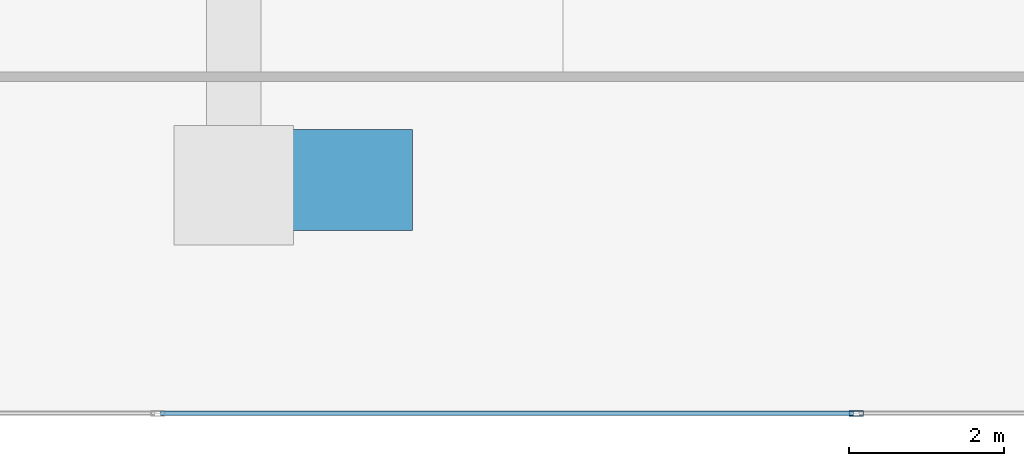
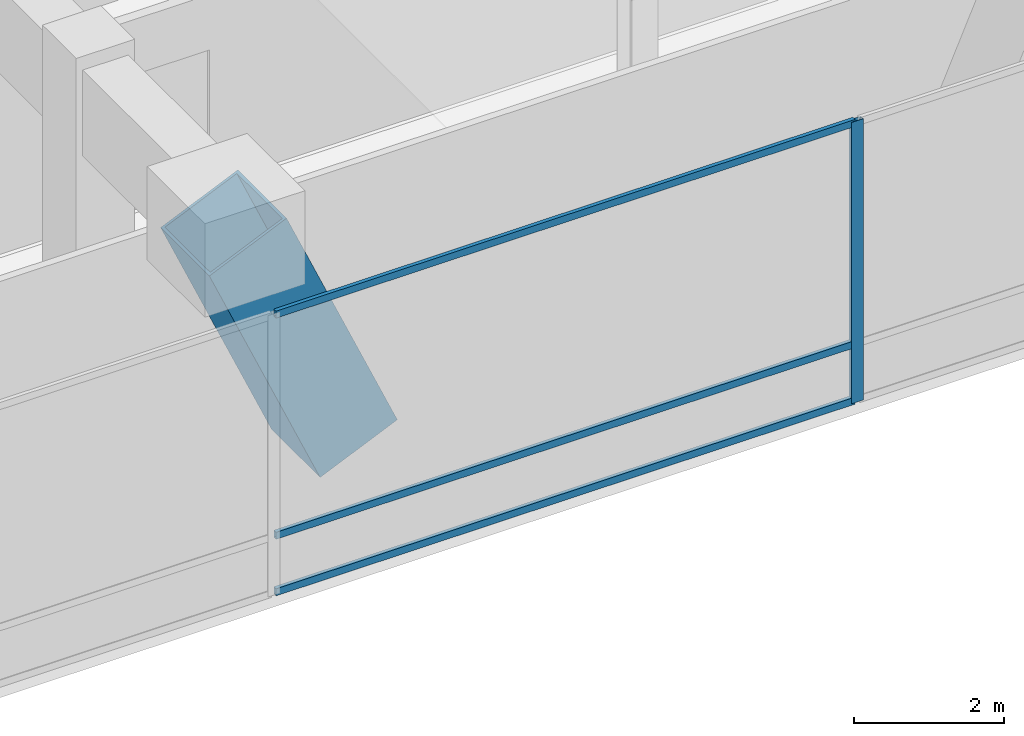
# One storey, part 13 of 45: 5 members, 1 element without a shape of its own.
"""IFC4 building model written with IfcOpenShell, lengths in metres."""

from ifc_helpers import new_model, si_unit, direction, frame, origin, origin_2d, place, context, subcontext, project, spatial, hollow_rectangle, extrude, material, layer, layer_set, material_profile, profile_set, type_object, element, aggregate, save


model = new_model("IFC4")

# Units and contexts
model_context = context("Model", 3, precision=1e-05, world=origin(), true_north=direction((0.0, 1.0)))
body_context = subcontext(model_context, "Body", "Model", "MODEL_VIEW")
ifc_project = project(units=[si_unit("LENGTHUNIT", "METRE"), si_unit("AREAUNIT", "SQUARE_METRE"), si_unit("VOLUMEUNIT", "CUBIC_METRE"), si_unit("PLANEANGLEUNIT", "RADIAN"), si_unit("MASSUNIT", "GRAM", prefix="KILO")], contexts=[model_context])

# Site, building, storey
site_placement = place(None, origin())
site = spatial("IfcSite", under=ifc_project, at=site_placement, CompositionType="ELEMENT")
building_placement = place(site_placement, origin())
building = spatial("IfcBuilding", under=site, at=building_placement, Name="Qianvela Tower", CompositionType="ELEMENT")
storey_placement = place(building_placement, frame((0.0, 0.0, 11.0)))
storey = spatial("IfcBuildingStorey", under=building, at=storey_placement, Name="L02", CompositionType="ELEMENT", Elevation=11.0)

# Curtain wall, members
ifc_material_1 = material(Name="Anodised Architectural Aluminium and Low-E Glass", Category="aluminium")
ifc_layer = layer(ifc_material_1, 0.179931640625)
ifc_layer_set = layer_set([ifc_layer], Name="Anodised Architectural Aluminium and Low-E Glass")
curtain_wall_type = type_object("IfcCurtainWallType", Name="CW-COMMONS", PredefinedType="USERDEFINED", material=ifc_layer_set)
curtain_wall_placement = place(storey_placement, origin())
curtain_wall = element("IfcCurtainWall", 1, at=curtain_wall_placement, inside=storey, type_object=curtain_wall_type, Name="L02 CW-COMMONS Curtain Wall 01", ObjectType="CURTAIN_WALL_SYSTEM", PredefinedType="USERDEFINED")
ifc_material_2 = material(Name="Anodised Architectural Aluminium 6063-T6", Category="aluminium")
ifc_material_profile_1 = material_profile(ifc_material_2, hollow_rectangle(XDim=0.070068359375, YDim=0.179931640625, WallThickness=0.0048828125, at=origin_2d()), Name="ALU-MULL-70x180")
ifc_profile_set_1 = profile_set([ifc_material_profile_1], Name="Anodised Architectural Aluminium 6063-T6")
member_type_1 = type_object("IfcMemberType", Name="CW-COMMONS-MULL", PredefinedType="MULLION", material=ifc_profile_set_1)
member_1_placement = place(storey_placement, frame((59.96435546875, 1.5, 0.0), z_axis=(0.0, 0.0, 1.0), x_axis=(0.0, 1.0, 0.0)))
member_1 = element("IfcMember", 2, at=member_1_placement, type_object=member_type_1, Name="CW-2 mullion 7", PredefinedType="MULLION", context=body_context, shape_type="SweptSolid", body=[
    extrude(hollow_rectangle(XDim=0.070068359375, YDim=0.179931640625, WallThickness=0.0048828125, at=origin_2d()), origin(), (0.0, 0.0, 1.0), 4.580078125),
])
ifc_material_3 = material(Name="Anodised Architectural Aluminium 6063-T6", Category="aluminium")
ifc_material_profile_2 = material_profile(ifc_material_3, hollow_rectangle(XDim=0.06005859375, YDim=0.114990234375, WallThickness=0.00390625, at=origin_2d()), Name="ALU-TRAN-60x115")
ifc_profile_set_2 = profile_set([ifc_material_profile_2], Name="Anodised Architectural Aluminium 6063-T6")
member_type_2 = type_object("IfcMemberType", Name="CW-COMMONS-TRAN", PredefinedType="USERDEFINED", material=ifc_profile_set_2)
member_2_placement = place(storey_placement, frame((51.013671875, 1.5, 0.030029296875), z_axis=(1.0, 0.0, 0.0), x_axis=(0.0, 1.0, 0.0)))
member_2 = element("IfcMember", 3, at=member_2_placement, type_object=member_type_2, Name="CW-2 transom 6.1", ObjectType="TRANSOM", PredefinedType="USERDEFINED", context=body_context, shape_type="SweptSolid", body=[
    extrude(hollow_rectangle(XDim=0.06005859375, YDim=0.114990234375, WallThickness=0.00390625, at=origin_2d()), origin(), (0.0, 0.0, 1.0), 8.91552734375),
])
member_3_placement = place(storey_placement, frame((51.013671875, 1.5, 0.949951171875), z_axis=(1.0, 0.0, 0.0), x_axis=(0.0, 1.0, 0.0)))
member_3 = element("IfcMember", 4, at=member_3_placement, type_object=member_type_2, Name="CW-2 transom 6.2", ObjectType="TRANSOM", PredefinedType="USERDEFINED", context=body_context, shape_type="SweptSolid", body=[
    extrude(hollow_rectangle(XDim=0.06005859375, YDim=0.114990234375, WallThickness=0.00390625, at=origin_2d()), origin(), (0.0, 0.0, 1.0), 8.91552734375),
])
member_4_placement = place(storey_placement, frame((51.013671875, 1.5, 4.550048828125), z_axis=(1.0, 0.0, 0.0), x_axis=(0.0, 1.0, 0.0)))
member_4 = element("IfcMember", 5, at=member_4_placement, type_object=member_type_2, Name="CW-2 transom 6.3", ObjectType="TRANSOM", PredefinedType="USERDEFINED", context=body_context, shape_type="SweptSolid", body=[
    extrude(hollow_rectangle(XDim=0.06005859375, YDim=0.114990234375, WallThickness=0.00390625, at=origin_2d()), origin(), (0.0, 0.0, 1.0), 8.91552734375),
])
aggregate(curtain_wall, [member_1, member_2, member_3, member_4])

# Member
ifc_material_4 = material(Name="Steel Q420GJC", Category="steel")
ifc_material_profile_3 = material_profile(ifc_material_4, hollow_rectangle(XDim=1.300048828125, YDim=1.300048828125, WallThickness=0.044921875, at=origin_2d()), Name="VBOX-1300x1300x45")
ifc_profile_set_3 = profile_set([ifc_material_profile_3], Name="Steel Q420GJC")
member_type_3 = type_object("IfcMemberType", Name="MBR-VCOL-1300", PredefinedType="POST", material=ifc_profile_set_3)
member_5_placement = place(storey_placement, frame((53.661376953125, 4.5, 0.0), z_axis=(-0.402692265556, 0.0, 0.915335424455), x_axis=(0.0, -1.0, 0.0)))
element("IfcMember", 6, at=member_5_placement, inside=storey, type_object=member_type_3, Name="L02 Concourse Inclined V-Column VC-S3 Leg L", PredefinedType="POST", context=body_context, shape_type="SweptSolid", body=[
    extrude(hollow_rectangle(XDim=1.300048828125, YDim=1.300048828125, WallThickness=0.044921875, at=origin_2d()), origin(), (0.0, 0.0, 1.0), 4.236572265625),
])

save(model, "model.ifc")
